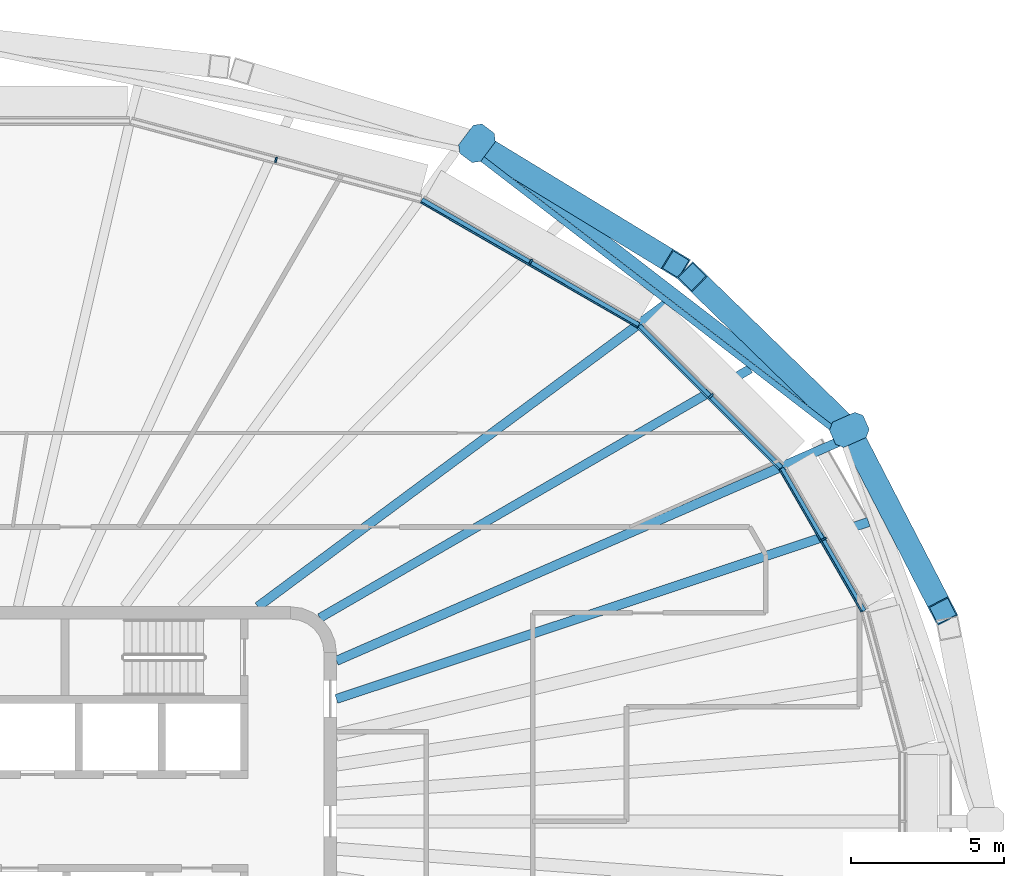
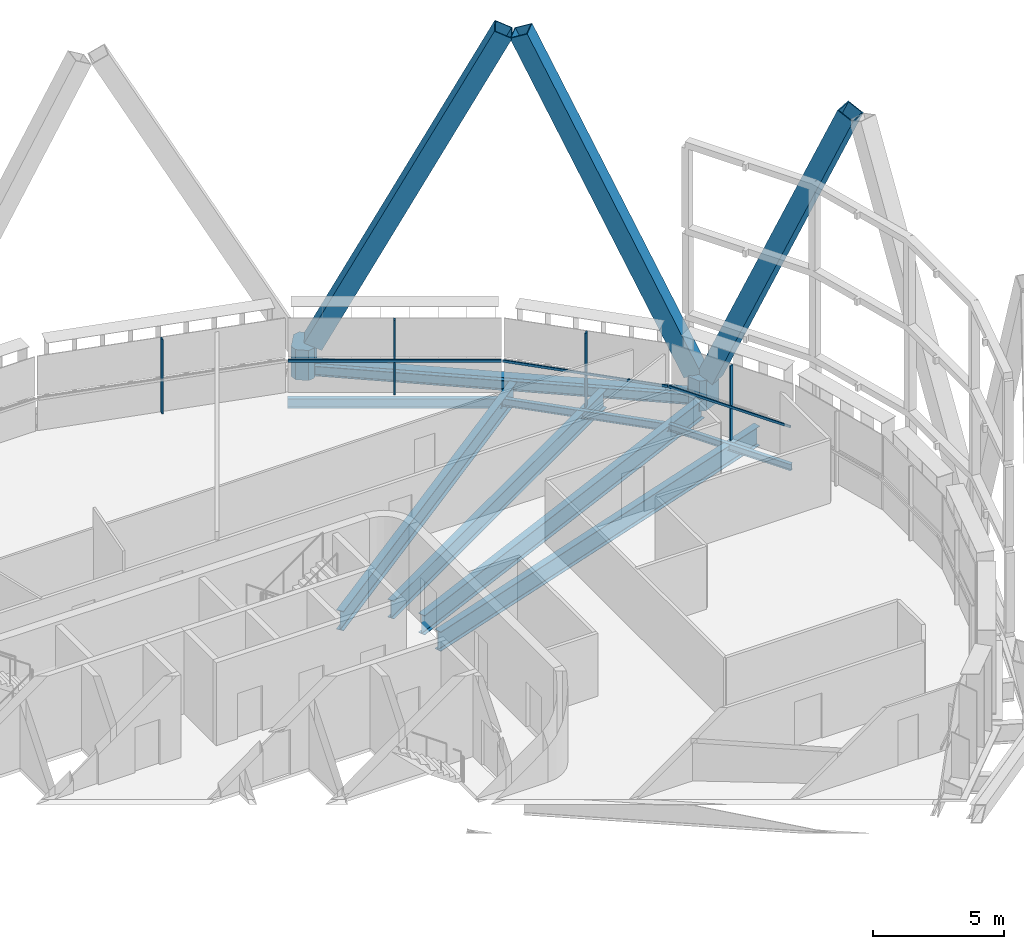
# One storey, part 9 of 23: 12 members, 9 beams, 4 elements without a shape of their own.
"""IFC4 building model written with IfcOpenShell, lengths in metres."""

from ifc_helpers import new_model, si_unit, direction, frame, origin, origin_2d, place, context, subcontext, project, spatial, polyline, rectangle, hollow_rectangle, i_section, outline, extrude, material, layer, layer_set, material_profile, profile_set, type_object, element, aggregate, save


model = new_model("IFC4")

# Units and contexts
model_context = context("Model", 3, precision=1e-05, world=origin(), true_north=direction((0.0, 1.0)))
body_context = subcontext(model_context, "Body", "Model", "MODEL_VIEW")
ifc_project = project(units=[si_unit("LENGTHUNIT", "METRE"), si_unit("AREAUNIT", "SQUARE_METRE"), si_unit("VOLUMEUNIT", "CUBIC_METRE"), si_unit("PLANEANGLEUNIT", "RADIAN"), si_unit("MASSUNIT", "GRAM", prefix="KILO")], contexts=[model_context])

# Site, building, storey
site_placement = place(None, origin())
site = spatial("IfcSite", under=ifc_project, at=site_placement, CompositionType="ELEMENT")
building_placement = place(site_placement, origin())
building = spatial("IfcBuilding", under=site, at=building_placement, Name="Sahrelin Media Tower", CompositionType="ELEMENT")
storey_placement = place(building_placement, frame((0.0, 0.0, 217.60009765625)))
storey = spatial("IfcBuildingStorey", under=building, at=storey_placement, Name="L46", CompositionType="ELEMENT", Elevation=217.60009765625)

# Members
ifc_material_1 = material(Name="Steel S460", Category="steel")
ifc_material_profile_1 = material_profile(ifc_material_1, hollow_rectangle(XDim=0.75, YDim=0.75, WallThickness=0.0400390625, at=origin_2d()), Name="Diagrid diagonal DG6")
ifc_profile_set_1 = profile_set([ifc_material_profile_1], Name="Steel S460")
member_type_1 = type_object("IfcMemberType", Name="Diagrid diagonal DG6", PredefinedType="BRACE", material=ifc_profile_set_1)
member_1_placement = place(storey_placement, frame((28.8671875, 12.49560546875, 0.699951171875), z_axis=(0.182867726985, -0.354403022085, 0.917037563224), x_axis=(0.888671710677, 0.458543989867, 0.0)))
element("IfcMember", 1, at=member_1_placement, inside=storey, type_object=member_type_1, Name="Diagrid diagonal D10-01", PredefinedType="BRACE", context=body_context, shape_type="SweptSolid", body=[
    extrude(hollow_rectangle(XDim=0.75, YDim=0.75, WallThickness=0.0400390625, at=origin_2d()), origin(), (0.0, 0.0, 1.0), 15.920654296875),
])
member_2_placement = place(storey_placement, frame((28.492919921875, 12.994384765625, 0.699951171875), z_axis=(-0.303560858535, 0.295441665911, 0.905850444173), x_axis=(-0.697458219754, -0.716625447286, 0.0)))
element("IfcMember", 2, at=member_2_placement, inside=storey, type_object=member_type_1, Name="Diagrid diagonal D10-02", PredefinedType="BRACE", context=body_context, shape_type="SweptSolid", body=[
    extrude(hollow_rectangle(XDim=0.75, YDim=0.75, WallThickness=0.0400390625, at=origin_2d()), origin(), (0.0, 0.0, 1.0), 16.1171875),
])
member_3_placement = place(storey_placement, frame((16.882568359375, 21.930908203125, 0.699951171875), z_axis=(0.379598064611, -0.231069461193, 0.895830460214), x_axis=(0.51996298769, 0.854188791446, 0.0)))
element("IfcMember", 3, at=member_3_placement, inside=storey, type_object=member_type_1, Name="Diagrid diagonal D10-03", PredefinedType="BRACE", context=body_context, shape_type="SweptSolid", body=[
    extrude(hollow_rectangle(XDim=0.75, YDim=0.75, WallThickness=0.0400390625, at=origin_2d()), origin(), (0.0, 0.0, 1.0), 16.297607421875),
])
ifc_material_profile_2 = material_profile(ifc_material_1, outline(polyline([(0.39990234375, -0.449951171875), (0.60009765625, -0.25), (0.60009765625, 0.25), (0.39990234375, 0.449951171875), (-0.39990234375, 0.449951171875), (-0.60009765625, 0.25), (-0.60009765625, -0.25), (-0.39990234375, -0.449951171875), (0.39990234375, -0.449951171875)])), Name="Diagrid node block 1200")
ifc_profile_set_2 = profile_set([ifc_material_profile_2], Name="Steel S460")
member_type_2 = type_object("IfcMemberType", Name="Diagrid node block 1200", PredefinedType="USERDEFINED", material=ifc_profile_set_2)
for number, where, z_axis, x_axis, name in (
    (4, (28.7275390625, 12.76611328125, -0.7001953125), (0.0, 0.0, 1.0), (0.91383202582, 0.406092389223, 0.0), "Diagrid node N10-01"),
    (5, (16.5859375, 22.111572265625, -0.7001953125), (0.0, 0.0, 1.0), (0.600053089558, 0.799960180079, 0.0), "Diagrid node N10-02"),
):
    element("IfcMember", number, at=place(storey_placement, frame(where, z_axis=z_axis, x_axis=x_axis)), inside=storey, type_object=member_type_2, Name=name, ObjectType="NODE", PredefinedType="USERDEFINED", context=body_context, shape_type="SweptSolid", body=[
        extrude(outline(polyline([(0.39990234375, -0.449951171875), (0.60009765625, -0.25), (0.60009765625, 0.25), (0.39990234375, 0.449951171875), (-0.39990234375, 0.449951171875), (-0.60009765625, 0.25), (-0.60009765625, -0.25), (-0.39990234375, -0.449951171875), (0.39990234375, -0.449951171875)])), origin(), (0.0, 0.0, 1.0), 1.400146484375),
    ])

# Beams
ifc_material_profile_3 = material_profile(ifc_material_1, hollow_rectangle(XDim=0.39990234375, YDim=0.60009765625, WallThickness=0.030029296875, at=origin_2d()), Name="Diagrid ring beam RB1")
ifc_profile_set_3 = profile_set([ifc_material_profile_3], Name="Steel S460")
beam_type_1 = type_object("IfcBeamType", Name="Diagrid ring beam RB1", PredefinedType="BEAM", material=ifc_profile_set_3)
beam_1_placement = place(storey_placement, frame((28.7275390625, 12.76611328125, -0.4501953125), z_axis=(-0.792442102004, 0.609947141129, 0.0), x_axis=(-0.609947141129, -0.792442102004, 0.0)))
element("IfcBeam", 6, at=beam_1_placement, inside=storey, type_object=beam_type_1, Name="Diagrid ring beam RB10-01", PredefinedType="BEAM", context=body_context, shape_type="SweptSolid", body=[
    extrude(hollow_rectangle(XDim=0.39990234375, YDim=0.60009765625, WallThickness=0.030029296875, at=origin_2d()), origin(), (0.0, 0.0, 1.0), 15.32177734375),
])
ifc_material_2 = material(Name="Steel S355", Category="steel")
ifc_material_profile_4 = material_profile(ifc_material_2, i_section(OverallWidth=0.1650390625, OverallDepth=0.303466796875, WebThickness=0.006103515625, FlangeThickness=0.01025390625, FilletRadius=0.0087890625, at=origin_2d()), Name="UB 305x165x40")
ifc_profile_set_4 = profile_set([ifc_material_profile_4], Name="Steel S355")
beam_type_2 = type_object("IfcBeamType", Name="Edge beam EB2", PredefinedType="BEAM", material=ifc_profile_set_4)
beam_2_placement = place(storey_placement, frame((26.513916015625, 11.506103515625, -0.3017578125), z_axis=(0.500007141444, -0.86602128063, 0.0), x_axis=(0.86602128063, 0.500007141444, 0.0)))
element("IfcBeam", 7, at=beam_2_placement, inside=storey, type_object=beam_type_2, Name="Edge beam L46-23", PredefinedType="BEAM", context=body_context, shape_type="SweptSolid", body=[
    extrude(i_section(OverallWidth=0.1650390625, OverallDepth=0.303466796875, WebThickness=0.006103515625, FlangeThickness=0.01025390625, FilletRadius=0.0087890625, at=origin_2d()), origin(), (0.0, 0.0, 1.0), 5.36962890625),
])
ifc_material_profile_5 = material_profile(ifc_material_2, i_section(OverallWidth=0.17138671875, OverallDepth=0.35498046875, WebThickness=0.00732421875, FlangeThickness=0.011474609375, FilletRadius=0.01025390625, at=origin_2d()), Name="UB 356x171x51")
ifc_profile_set_5 = profile_set([ifc_material_profile_5], Name="Steel S355")
beam_type_3 = type_object("IfcBeamType", Name="Edge beam EB3", PredefinedType="BEAM", material=ifc_profile_set_5)
beam_3_placement = place(storey_placement, frame((21.87353515625, 16.15185546875, -0.32763671875), z_axis=(0.707088109482, -0.707125452398, 0.0), x_axis=(0.707125452398, 0.707088109482, 0.0)))
element("IfcBeam", 8, at=beam_3_placement, inside=storey, type_object=beam_type_3, Name="Edge beam L46-22", PredefinedType="BEAM", context=body_context, shape_type="SweptSolid", body=[
    extrude(i_section(OverallWidth=0.17138671875, OverallDepth=0.35498046875, WebThickness=0.00732421875, FlangeThickness=0.011474609375, FilletRadius=0.01025390625, at=origin_2d()), origin(), (0.0, 0.0, 1.0), 6.537841796875),
])
ifc_material_profile_6 = material_profile(ifc_material_2, i_section(OverallWidth=0.1904296875, OverallDepth=0.45703125, WebThickness=0.009033203125, FlangeThickness=0.014404296875, FilletRadius=0.01025390625, at=origin_2d()), Name="UB 457x191x74")
ifc_profile_set_6 = profile_set([ifc_material_profile_6], Name="Steel S355")
beam_type_4 = type_object("IfcBeamType", Name="Edge beam EB5", PredefinedType="BEAM", material=ifc_profile_set_6)
beam_4_placement = place(storey_placement, frame((14.77978515625, 20.251708984375, -0.378662109375), z_axis=(0.866015284814, -0.500017526161, 0.0), x_axis=(0.500017526161, 0.866015284814, 0.0)))
element("IfcBeam", 9, at=beam_4_placement, inside=storey, type_object=beam_type_4, Name="Edge beam L46-21", PredefinedType="BEAM", context=body_context, shape_type="SweptSolid", body=[
    extrude(i_section(OverallWidth=0.1904296875, OverallDepth=0.45703125, WebThickness=0.009033203125, FlangeThickness=0.014404296875, FilletRadius=0.01025390625, at=origin_2d()), origin(), (0.0, 0.0, 1.0), 8.164794921875),
])

# Curtain wall, member
ifc_material_3 = material(Name="Champagne anodised aluminium 6063-T6", Category="aluminium")
ifc_layer = layer(ifc_material_3, 0.14990234375)
ifc_layer_set = layer_set([ifc_layer], Name="Tower ribbon curtain wall")
curtain_wall_type = type_object("IfcCurtainWallType", Name="Tower ribbon curtain wall", PredefinedType="NOTDEFINED", material=ifc_layer_set)
curtain_wall_1_placement = place(storey_placement, frame((27.986083984375, 9.255859375, 0.0), z_axis=(0.0, 0.0, 1.0), x_axis=(1.0, 0.0, 0.0)))
curtain_wall_1 = element("IfcCurtainWall", 10, at=curtain_wall_1_placement, inside=storey, type_object=curtain_wall_type, Name="L46:CW:L46-02", PredefinedType="NOTDEFINED")
ifc_material_profile_7 = material_profile(ifc_material_3, rectangle(XDim=0.06005859375, YDim=0.175048828125, at=origin_2d()), Name="Mullion 60x175")
ifc_profile_set_7 = profile_set([ifc_material_profile_7], Name="Champagne anodised aluminium 6063-T6")
member_type_3 = type_object("IfcMemberType", Name="Mullion 60x175 CW1B", PredefinedType="MULLION", material=ifc_profile_set_7)
member_4_placement = place(storey_placement, frame((27.89306640625, 9.2021484375, 0.0), z_axis=(0.0, 0.0, 1.0), x_axis=(-0.499995465495, 0.866028021766, 0.0)))
member_4 = element("IfcMember", 11, at=member_4_placement, type_object=member_type_3, Name="L46:CWM:L46-02", PredefinedType="MULLION", context=body_context, shape_type="SweptSolid", body=[
    extrude(rectangle(XDim=0.06005859375, YDim=0.175048828125, at=origin_2d()), origin(), (0.0, 0.0, 1.0), 3.448486328125),
])

curtain_wall_2_placement = place(storey_placement, frame((24.291015625, 13.9462890625, 0.0), z_axis=(0.0, 0.0, 1.0), x_axis=(1.0, 0.0, 0.0)))
curtain_wall_2 = element("IfcCurtainWall", 12, at=curtain_wall_2_placement, inside=storey, type_object=curtain_wall_type, Name="L46:CW:L46-03", PredefinedType="NOTDEFINED")
member_5_placement = place(storey_placement, frame((24.215087890625, 13.870361328125, 0.0), z_axis=(0.0, 0.0, 1.0), x_axis=(-0.707106781187, 0.707106781187, 0.0)))
member_5 = element("IfcMember", 13, at=member_5_placement, type_object=member_type_3, Name="L46:CWM:L46-03", PredefinedType="MULLION", context=body_context, shape_type="SweptSolid", body=[
    extrude(rectangle(XDim=0.06005859375, YDim=0.175048828125, at=origin_2d()), origin(), (0.0, 0.0, 1.0), 3.448486328125),
])

curtain_wall_3_placement = place(storey_placement, frame((18.39013671875, 18.34033203125, 0.0), z_axis=(0.0, 0.0, 1.0), x_axis=(1.0, 0.0, 0.0)))
curtain_wall_3 = element("IfcCurtainWall", 14, at=curtain_wall_3_placement, inside=storey, type_object=curtain_wall_type, Name="L46:CW:L46-04", PredefinedType="NOTDEFINED")
member_6_placement = place(storey_placement, frame((18.33642578125, 18.247314453125, 0.0), z_axis=(0.0, 0.0, 1.0), x_axis=(-0.866026276448, 0.4999984885, 0.0)))
member_6 = element("IfcMember", 15, at=member_6_placement, type_object=member_type_3, Name="L46:CWM:L46-04", PredefinedType="MULLION", context=body_context, shape_type="SweptSolid", body=[
    extrude(rectangle(XDim=0.06005859375, YDim=0.175048828125, at=origin_2d()), origin(), (0.0, 0.0, 1.0), 3.448486328125),
])

curtain_wall_4_placement = place(storey_placement, frame((10.060302734375, 21.67529296875, 0.0), z_axis=(0.0, 0.0, 1.0), x_axis=(1.0, 0.0, 0.0)))
curtain_wall_4 = element("IfcCurtainWall", 16, at=curtain_wall_4_placement, inside=storey, type_object=curtain_wall_type, Name="L46:CW:L46-05", PredefinedType="NOTDEFINED")
member_7_placement = place(storey_placement, frame((10.03271484375, 21.571533203125, 0.0), z_axis=(0.0, 0.0, 1.0), x_axis=(-0.965924922834, 0.258822416818, 0.0)))
member_7 = element("IfcMember", 17, at=member_7_placement, type_object=member_type_3, Name="L46:CWM:L46-05", PredefinedType="MULLION", context=body_context, shape_type="SweptSolid", body=[
    extrude(rectangle(XDim=0.06005859375, YDim=0.175048828125, at=origin_2d()), origin(), (0.0, 0.0, 1.0), 3.448486328125),
])
aggregate(curtain_wall_4, [member_7])

# Beams
ifc_material_profile_8 = material_profile(ifc_material_2, i_section(OverallWidth=0.30322265625, OverallDepth=0.903076171875, WebThickness=0.01513671875, FlangeThickness=0.020263671875, FilletRadius=0.01904296875, at=origin_2d()), Name="UB 914x305x201")
ifc_profile_set_8 = profile_set([ifc_material_profile_8], Name="Steel S355")
beam_type_5 = type_object("IfcBeamType", Name="Radial primary beam PB11", PredefinedType="BEAM", material=ifc_profile_set_8)
beam_5_placement = place(storey_placement, frame((12.0, 5.232666015625, -0.6015625), z_axis=(0.916640711355, 0.39971215429, 0.0), x_axis=(-0.39971215429, 0.916640711355, 0.0)))
element("IfcBeam", 18, at=beam_5_placement, inside=storey, type_object=beam_type_5, Name="Radial beam L46-03", PredefinedType="BEAM", context=body_context, shape_type="SweptSolid", body=[
    extrude(i_section(OverallWidth=0.30322265625, OverallDepth=0.903076171875, WebThickness=0.01513671875, FlangeThickness=0.020263671875, FilletRadius=0.01904296875, at=origin_2d()), origin(), (0.0, 0.0, 1.0), 17.930908203125),
])
beam_6_placement = place(storey_placement, frame((9.43896484375, 7.0, -0.6015625), z_axis=(0.803225834656, 0.595674624725, 0.0), x_axis=(-0.595674624725, 0.803225834656, 0.0)))
element("IfcBeam", 19, at=beam_6_placement, inside=storey, type_object=beam_type_5, Name="Radial beam L46-04", PredefinedType="BEAM", context=body_context, shape_type="SweptSolid", body=[
    extrude(i_section(OverallWidth=0.30322265625, OverallDepth=0.903076171875, WebThickness=0.01513671875, FlangeThickness=0.020263671875, FilletRadius=0.01904296875, at=origin_2d()), origin(), (0.0, 0.0, 1.0), 16.5693359375),
])
ifc_material_profile_9 = material_profile(ifc_material_2, i_section(OverallWidth=0.291748046875, OverallDepth=0.8349609375, WebThickness=0.013916015625, FlangeThickness=0.018798828125, FilletRadius=0.017822265625, at=origin_2d()), Name="UB 838x292x176")
ifc_profile_set_9 = profile_set([ifc_material_profile_9], Name="Steel S355")
beam_type_6 = type_object("IfcBeamType", Name="Radial secondary beam SB10", PredefinedType="BEAM", material=ifc_profile_set_9)
beam_7_placement = place(storey_placement, frame((11.464111328125, 6.634765625, -0.567626953125), z_axis=(0.865492266569, 0.500922285899, 0.0), x_axis=(-0.500922285899, 0.865492266569, 0.0)))
element("IfcBeam", 20, at=beam_7_placement, inside=storey, type_object=beam_type_6, Name="Secondary beam L46-03", PredefinedType="BEAM", context=body_context, shape_type="SweptSolid", body=[
    extrude(i_section(OverallWidth=0.291748046875, OverallDepth=0.8349609375, WebThickness=0.013916015625, FlangeThickness=0.018798828125, FilletRadius=0.017822265625, at=origin_2d()), origin(), (0.0, 0.0, 1.0), 16.21142578125),
])
ifc_material_profile_10 = material_profile(ifc_material_2, i_section(OverallWidth=0.30322265625, OverallDepth=0.903076171875, WebThickness=0.01513671875, FlangeThickness=0.020263671875, FilletRadius=0.01904296875, at=origin_2d()), Name="UB 914x305x201")
ifc_profile_set_10 = profile_set([ifc_material_profile_10], Name="Steel S355")
beam_type_7 = type_object("IfcBeamType", Name="Radial secondary beam SB11", PredefinedType="BEAM", material=ifc_profile_set_10)
beam_8_placement = place(storey_placement, frame((12.0, 3.9912109375, -0.6015625), z_axis=(0.948893999839, 0.315594957293, 0.0), x_axis=(-0.315594957293, 0.948893999839, 0.0)))
element("IfcBeam", 21, at=beam_8_placement, inside=storey, type_object=beam_type_7, Name="Secondary beam L46-02", PredefinedType="BEAM", context=body_context, shape_type="SweptSolid", body=[
    extrude(i_section(OverallWidth=0.30322265625, OverallDepth=0.903076171875, WebThickness=0.01513671875, FlangeThickness=0.020263671875, FilletRadius=0.01904296875, at=origin_2d()), origin(), (0.0, 0.0, 1.0), 18.2890625),
])
ifc_material_profile_11 = material_profile(ifc_material_2, i_section(OverallWidth=0.1904296875, OverallDepth=0.45703125, WebThickness=0.009033203125, FlangeThickness=0.014404296875, FilletRadius=0.01025390625, at=origin_2d()), Name="UB 457x191x74")
ifc_profile_set_11 = profile_set([ifc_material_profile_11], Name="Steel S355")
beam_type_8 = type_object("IfcBeamType", Name="Tie chord TC5", PredefinedType="BEAM", material=ifc_profile_set_11)
beam_9_placement = place(storey_placement, frame((16.45751953125, 21.831298828125, -0.378662109375), z_axis=(0.792446783921, -0.609941058344, 0.0), x_axis=(0.609941058344, 0.792446783921, 0.0)))
element("IfcBeam", 22, at=beam_9_placement, inside=storey, type_object=beam_type_8, Name="Tie chord L46-11", PredefinedType="BEAM", context=body_context, shape_type="SweptSolid", body=[
    extrude(i_section(OverallWidth=0.1904296875, OverallDepth=0.45703125, WebThickness=0.009033203125, FlangeThickness=0.014404296875, FilletRadius=0.01025390625, at=origin_2d()), origin(), (0.0, 0.0, 1.0), 15.1630859375),
])

# Member
ifc_material_profile_12 = material_profile(ifc_material_3, rectangle(XDim=0.050048828125, YDim=0.110107421875, at=origin_2d()), Name="Transom 50x110")
ifc_profile_set_12 = profile_set([ifc_material_profile_12], Name="Champagne anodised aluminium 6063-T6")
member_type_4 = type_object("IfcMemberType", Name="Transom 50x110 CW1B", PredefinedType="USERDEFINED", material=ifc_profile_set_12)
member_8_placement = place(storey_placement, frame((29.130126953125, 6.83447265625, 1.599853515625), z_axis=(-0.499975827765, 0.866039359181, 0.0), x_axis=(-0.866039359181, -0.499975827765, 0.0)))
member_8 = element("IfcMember", 23, at=member_8_placement, type_object=member_type_4, Name="L46:CWT:L46-02", ObjectType="TRANSOM", PredefinedType="USERDEFINED", context=body_context, shape_type="SweptSolid", body=[
    extrude(rectangle(XDim=0.050048828125, YDim=0.110107421875, at=origin_2d()), origin(), (0.0, 0.0, 1.0), 5.338134765625),
])

aggregate(curtain_wall_1, [member_4, member_8])

member_9_placement = place(storey_placement, frame((26.435791015625, 11.490478515625, 1.599853515625), z_axis=(-0.707088019315, 0.70712554256, 0.0), x_axis=(-0.70712554256, -0.707088019315, 0.0)))
member_9 = element("IfcMember", 24, at=member_9_placement, type_object=member_type_4, Name="L46:CWT:L46-03", ObjectType="TRANSOM", PredefinedType="USERDEFINED", context=body_context, shape_type="SweptSolid", body=[
    extrude(rectangle(XDim=0.050048828125, YDim=0.110107421875, at=origin_2d()), origin(), (0.0, 0.0, 1.0), 6.50634765625),
])

aggregate(curtain_wall_2, [member_5, member_9])

member_10_placement = place(storey_placement, frame((21.802001953125, 16.11669921875, 1.599853515625), z_axis=(-0.866040125199, 0.499974500895, 0.0), x_axis=(-0.499974500895, -0.866040125199, 0.0)))
member_10 = element("IfcMember", 25, at=member_10_placement, type_object=member_type_4, Name="L46:CWT:L46-04", ObjectType="TRANSOM", PredefinedType="USERDEFINED", context=body_context, shape_type="SweptSolid", body=[
    extrude(rectangle(XDim=0.050048828125, YDim=0.110107421875, at=origin_2d()), origin(), (0.0, 0.0, 1.0), 8.13330078125),
])

aggregate(curtain_wall_3, [member_6, member_10])

save(model, "model.ifc")
